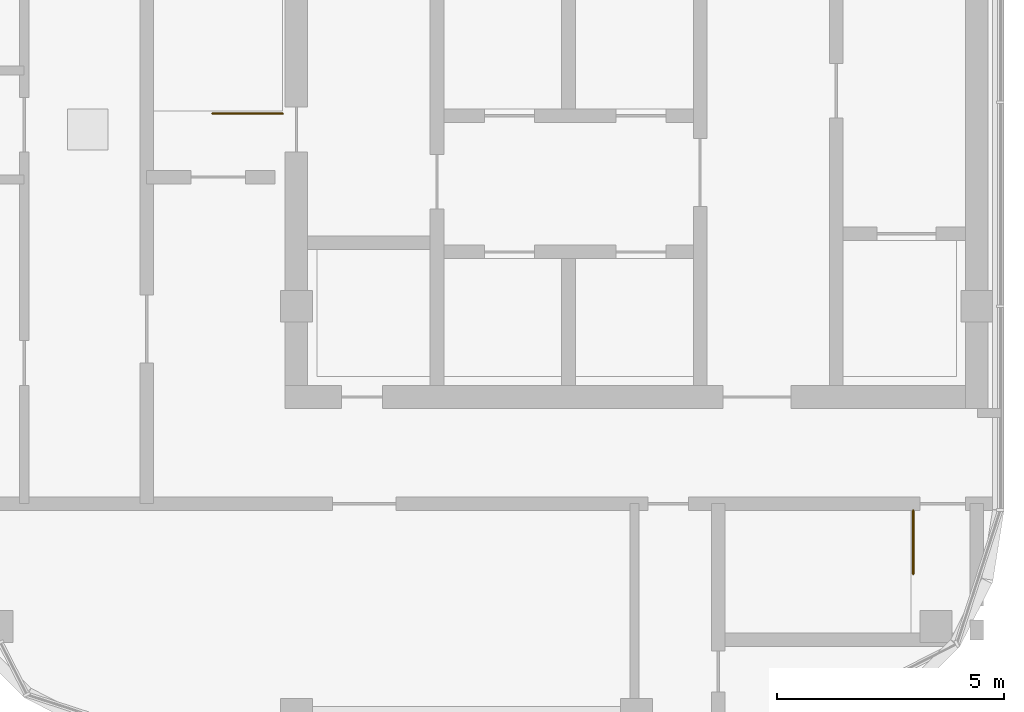
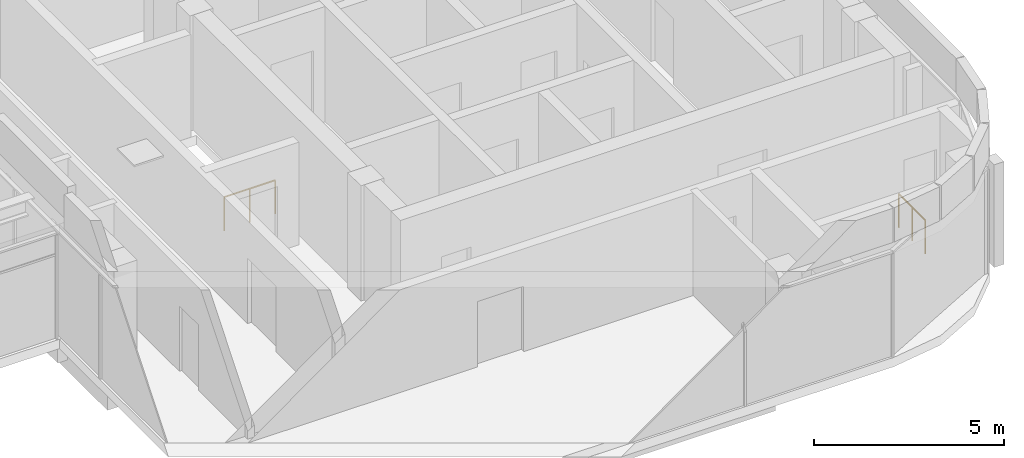
# One storey, part 33 of 33: 2 railings.
"""IFC4 building model written with IfcOpenShell, lengths in metres."""

from ifc_helpers import new_model, si_unit, direction, frame, origin, origin_2d, place, context, subcontext, project, spatial, circle, extrude, material, type_object, element, save


model = new_model("IFC4")

# Units and contexts
model_context = context("Model", 3, precision=1e-05, world=origin(), true_north=direction((0.0, 1.0)))
body_context = subcontext(model_context, "Body", "Model", "MODEL_VIEW")
ifc_project = project(units=[si_unit("LENGTHUNIT", "METRE"), si_unit("AREAUNIT", "SQUARE_METRE"), si_unit("VOLUMEUNIT", "CUBIC_METRE"), si_unit("PLANEANGLEUNIT", "RADIAN"), si_unit("MASSUNIT", "GRAM", prefix="KILO")], contexts=[model_context])

# Site, building, storey
site_placement = place(None, origin())
site = spatial("IfcSite", under=ifc_project, at=site_placement, CompositionType="ELEMENT")
building_placement = place(site_placement, origin())
building = spatial("IfcBuilding", under=site, at=building_placement, Name="Ogive Portal Towers", CompositionType="ELEMENT")
storey_placement = place(building_placement, frame((0.0, 0.0, 101.89990234375)))
storey = spatial("IfcBuildingStorey", under=building, at=storey_placement, Name="L24", CompositionType="ELEMENT", Elevation=101.89990234375)

# Railings
ifc_material = material(Name="Stainless steel balustrade", Category="steel")
railing_type = type_object("IfcRailingType", Name="INT-GUARD", PredefinedType="GUARDRAIL", material=ifc_material)
railing_1_placement = place(storey_placement, frame((128.699951171875, 30.75, 0.0)))
element("IfcRailing", 1, at=railing_1_placement, inside=storey, type_object=railing_type, Name="L24 ST-B1 top well guard 1", PredefinedType="GUARDRAIL", context=body_context, shape_type="SweptSolid", body=[
    extrude(circle(Radius=0.02392578125, at=origin_2d()), frame((0.0, 0.0, 1.076171875), z_axis=(-1.0, 0.0, 0.0), x_axis=(0.0, -1.0, 0.0)), (0.0, 0.0, 1.0), 1.550048828125),
    extrude(circle(Radius=0.02099609375, at=origin_2d()), origin(), (0.0, 0.0, 1.0), 1.052001953125),
    extrude(circle(Radius=0.02099609375, at=origin_2d()), frame((-0.77490234375, 0.0, 0.0)), (0.0, 0.0, 1.0), 1.052001953125),
    extrude(circle(Radius=0.02099609375, at=origin_2d()), frame((-1.550048828125, 0.0, 0.0)), (0.0, 0.0, 1.0), 1.052001953125),
])
railing_2_placement = place(storey_placement, frame((142.60009765625, 22.0, 0.0)))
element("IfcRailing", 2, at=railing_2_placement, inside=storey, type_object=railing_type, Name="L24 ST-B2 top well guard 1", PredefinedType="GUARDRAIL", context=body_context, shape_type="SweptSolid", body=[
    extrude(circle(Radius=0.02392578125, at=origin_2d()), frame((0.0, 0.0, 1.076171875), z_axis=(0.0, -1.0, 0.0), x_axis=(1.0, 0.0, 0.0)), (0.0, 0.0, 1.0), 1.39990234375),
    extrude(circle(Radius=0.02099609375, at=origin_2d()), origin(), (0.0, 0.0, 1.0), 1.052001953125),
    extrude(circle(Radius=0.02099609375, at=origin_2d()), frame((0.0, -0.699951171875, 0.0)), (0.0, 0.0, 1.0), 1.052001953125),
    extrude(circle(Radius=0.02099609375, at=origin_2d()), frame((0.0, -1.39990234375, 0.0)), (0.0, 0.0, 1.0), 1.052001953125),
])

save(model, "model.ifc")
